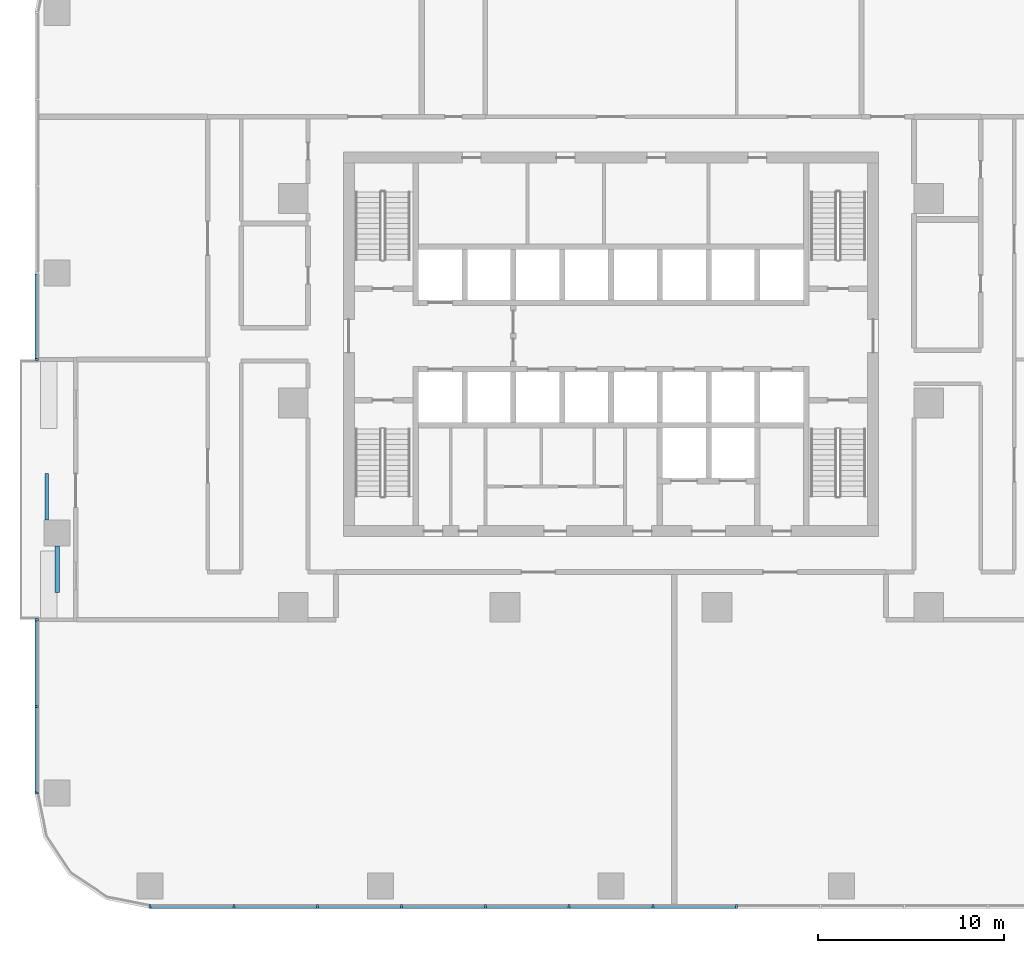
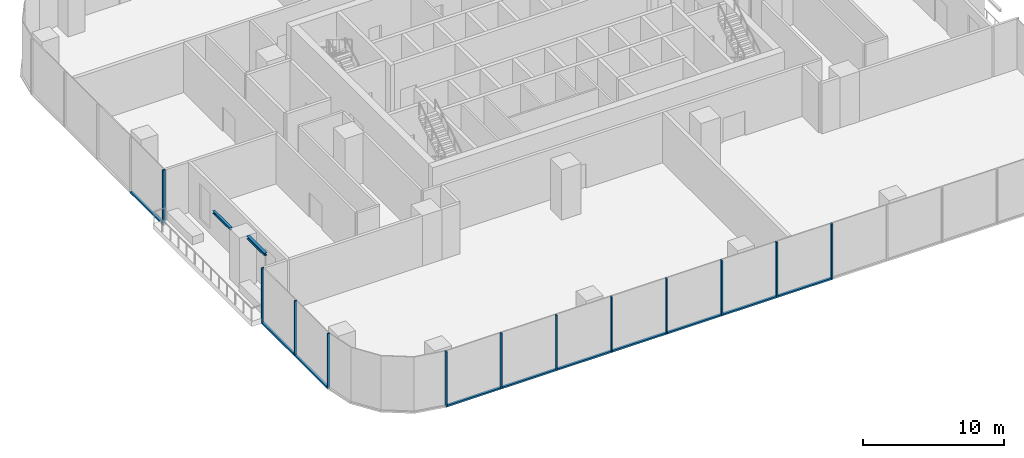
# One storey, part 2 of 14: 22 members, 2 beams, 3 elements without a shape of their own.
"""IFC4 building model written with IfcOpenShell, lengths in metres."""

from ifc_helpers import new_model, si_unit, direction, frame, origin, origin_2d, place, context, subcontext, project, spatial, rectangle, i_section, extrude, material, material_profile, profile_set, type_object, element, aggregate, save


model = new_model("IFC4")

# Units and contexts
model_context = context("Model", 3, precision=1e-05, world=origin(), true_north=direction((0.0, 1.0)))
body_context = subcontext(model_context, "Body", "Model", "MODEL_VIEW")
ifc_project = project(units=[si_unit("LENGTHUNIT", "METRE"), si_unit("AREAUNIT", "SQUARE_METRE"), si_unit("VOLUMEUNIT", "CUBIC_METRE"), si_unit("PLANEANGLEUNIT", "RADIAN"), si_unit("MASSUNIT", "GRAM", prefix="KILO")], contexts=[model_context])

# Site, building, storey
site_placement = place(None, origin())
site = spatial("IfcSite", under=ifc_project, at=site_placement, CompositionType="ELEMENT")
building_placement = place(site_placement, origin())
building = spatial("IfcBuilding", under=site, at=building_placement, Name="Mopane Tessera Tower", CompositionType="ELEMENT")
storey_placement = place(building_placement, frame((0.0, 0.0, 40.60009765625)))
storey = spatial("IfcBuildingStorey", under=building, at=storey_placement, Name="L07", CompositionType="ELEMENT", Elevation=40.60009765625)

# Curtain wall, members
ifc_material_1 = material(Name="Aluminium frame", Category="aluminium")
curtain_wall_type = type_object("IfcCurtainWallType", Name="Lower tower unitised wall", PredefinedType="NOTDEFINED", material=ifc_material_1)
curtain_wall_1_placement = place(storey_placement, origin())
curtain_wall_1 = element("IfcCurtainWall", 1, at=curtain_wall_1_placement, inside=storey, type_object=curtain_wall_type, Name="e:cw:L07:S:0", PredefinedType="NOTDEFINED")
ifc_material_2 = material(Name="Aluminium frame", Category="aluminium")
ifc_material_profile_1 = material_profile(ifc_material_2, rectangle(XDim=0.110107421875, YDim=0.199951171875, at=origin_2d()))
ifc_profile_set_1 = profile_set([ifc_material_profile_1], Name="Aluminium frame")
member_type_1 = type_object("IfcMemberType", Name="Aluminium mullion 110 x 200", PredefinedType="MULLION", material=ifc_profile_set_1)
member_1_placement = place(storey_placement, frame((-24.800048828125, -27.10009765625, -0.4501953125), z_axis=(0.0, 0.0, 1.0), x_axis=(1.0, 0.0, 0.0)))
member_1 = element("IfcMember", 2, at=member_1_placement, type_object=member_type_1, Name="e:cw:L07:S:0:mu0", PredefinedType="MULLION", context=body_context, shape_type="SweptSolid", body=[
    extrude(rectangle(XDim=0.110107421875, YDim=0.199951171875, at=origin_2d()), origin(), (0.0, 0.0, 1.0), 4.800048828125),
])
member_2_placement = place(storey_placement, frame((-20.291015625, -27.10009765625, -0.4501953125), z_axis=(0.0, 0.0, 1.0), x_axis=(1.0, 0.0, 0.0)))
member_2 = element("IfcMember", 3, at=member_2_placement, type_object=member_type_1, Name="e:cw:L07:S:0:mu1", PredefinedType="MULLION", context=body_context, shape_type="SweptSolid", body=[
    extrude(rectangle(XDim=0.110107421875, YDim=0.199951171875, at=origin_2d()), origin(), (0.0, 0.0, 1.0), 4.800048828125),
])
member_3_placement = place(storey_placement, frame((-15.78173828125, -27.10009765625, -0.4501953125), z_axis=(0.0, 0.0, 1.0), x_axis=(1.0, 0.0, 0.0)))
member_3 = element("IfcMember", 4, at=member_3_placement, type_object=member_type_1, Name="e:cw:L07:S:0:mu2", PredefinedType="MULLION", context=body_context, shape_type="SweptSolid", body=[
    extrude(rectangle(XDim=0.110107421875, YDim=0.199951171875, at=origin_2d()), origin(), (0.0, 0.0, 1.0), 4.800048828125),
])
member_4_placement = place(storey_placement, frame((-11.272705078125, -27.10009765625, -0.4501953125), z_axis=(0.0, 0.0, 1.0), x_axis=(1.0, 0.0, 0.0)))
member_4 = element("IfcMember", 5, at=member_4_placement, type_object=member_type_1, Name="e:cw:L07:S:0:mu3", PredefinedType="MULLION", context=body_context, shape_type="SweptSolid", body=[
    extrude(rectangle(XDim=0.110107421875, YDim=0.199951171875, at=origin_2d()), origin(), (0.0, 0.0, 1.0), 4.800048828125),
])
member_5_placement = place(storey_placement, frame((-6.763671875, -27.10009765625, -0.4501953125), z_axis=(0.0, 0.0, 1.0), x_axis=(1.0, 0.0, 0.0)))
member_5 = element("IfcMember", 6, at=member_5_placement, type_object=member_type_1, Name="e:cw:L07:S:0:mu4", PredefinedType="MULLION", context=body_context, shape_type="SweptSolid", body=[
    extrude(rectangle(XDim=0.110107421875, YDim=0.199951171875, at=origin_2d()), origin(), (0.0, 0.0, 1.0), 4.800048828125),
])
member_6_placement = place(storey_placement, frame((-2.254638671875, -27.10009765625, -0.4501953125), z_axis=(0.0, 0.0, 1.0), x_axis=(1.0, 0.0, 0.0)))
member_6 = element("IfcMember", 7, at=member_6_placement, type_object=member_type_1, Name="e:cw:L07:S:0:mu5", PredefinedType="MULLION", context=body_context, shape_type="SweptSolid", body=[
    extrude(rectangle(XDim=0.110107421875, YDim=0.199951171875, at=origin_2d()), origin(), (0.0, 0.0, 1.0), 4.800048828125),
])
member_7_placement = place(storey_placement, frame((2.254638671875, -27.10009765625, -0.4501953125), z_axis=(0.0, 0.0, 1.0), x_axis=(1.0, 0.0, 0.0)))
member_7 = element("IfcMember", 8, at=member_7_placement, type_object=member_type_1, Name="e:cw:L07:S:0:mu6", PredefinedType="MULLION", context=body_context, shape_type="SweptSolid", body=[
    extrude(rectangle(XDim=0.110107421875, YDim=0.199951171875, at=origin_2d()), origin(), (0.0, 0.0, 1.0), 4.800048828125),
])
member_8_placement = place(storey_placement, frame((6.763671875, -27.10009765625, -0.4501953125), z_axis=(0.0, 0.0, 1.0), x_axis=(1.0, 0.0, 0.0)))
member_8 = element("IfcMember", 9, at=member_8_placement, type_object=member_type_1, Name="e:cw:L07:S:0:mu7", PredefinedType="MULLION", context=body_context, shape_type="SweptSolid", body=[
    extrude(rectangle(XDim=0.110107421875, YDim=0.199951171875, at=origin_2d()), origin(), (0.0, 0.0, 1.0), 4.800048828125),
])

# Curtain wall, member
curtain_wall_2_placement = place(storey_placement, origin())
curtain_wall_2 = element("IfcCurtainWall", 10, at=curtain_wall_2_placement, inside=storey, type_object=curtain_wall_type, Name="e:cw:L07:W:0", PredefinedType="NOTDEFINED")
member_9_placement = place(storey_placement, frame((-30.89990234375, 2.333251953125, -0.4501953125), z_axis=(0.0, 0.0, 1.0), x_axis=(0.0, -1.0, 0.0)))
member_9 = element("IfcMember", 11, at=member_9_placement, type_object=member_type_1, Name="e:cw:L07:W:0:mu4", PredefinedType="MULLION", context=body_context, shape_type="SweptSolid", body=[
    extrude(rectangle(XDim=0.110107421875, YDim=0.199951171875, at=origin_2d()), origin(), (0.0, 0.0, 1.0), 4.800048828125),
])

# Curtain wall, members
curtain_wall_3_placement = place(storey_placement, origin())
curtain_wall_3 = element("IfcCurtainWall", 12, at=curtain_wall_3_placement, inside=storey, type_object=curtain_wall_type, Name="e:cw:L07:W:7", PredefinedType="NOTDEFINED")
member_10_placement = place(storey_placement, frame((-30.89990234375, -11.666748046875, -0.4501953125), z_axis=(0.0, 0.0, 1.0), x_axis=(0.0, -1.0, 0.0)))
member_10 = element("IfcMember", 13, at=member_10_placement, type_object=member_type_1, Name="e:cw:L07:W:7:mu7", PredefinedType="MULLION", context=body_context, shape_type="SweptSolid", body=[
    extrude(rectangle(XDim=0.110107421875, YDim=0.199951171875, at=origin_2d()), origin(), (0.0, 0.0, 1.0), 4.800048828125),
])
member_11_placement = place(storey_placement, frame((-30.89990234375, -16.333251953125, -0.4501953125), z_axis=(0.0, 0.0, 1.0), x_axis=(0.0, -1.0, 0.0)))
member_11 = element("IfcMember", 14, at=member_11_placement, type_object=member_type_1, Name="e:cw:L07:W:7:mu8", PredefinedType="MULLION", context=body_context, shape_type="SweptSolid", body=[
    extrude(rectangle(XDim=0.110107421875, YDim=0.199951171875, at=origin_2d()), origin(), (0.0, 0.0, 1.0), 4.800048828125),
])
member_12_placement = place(storey_placement, frame((-30.89990234375, -21.0, -0.4501953125), z_axis=(0.0, 0.0, 1.0), x_axis=(0.0, -1.0, 0.0)))
member_12 = element("IfcMember", 15, at=member_12_placement, type_object=member_type_1, Name="e:cw:L07:W:7:mu9", PredefinedType="MULLION", context=body_context, shape_type="SweptSolid", body=[
    extrude(rectangle(XDim=0.110107421875, YDim=0.199951171875, at=origin_2d()), origin(), (0.0, 0.0, 1.0), 4.800048828125),
])

# Member
ifc_material_3 = material(Name="Aluminium frame", Category="aluminium")
ifc_material_profile_2 = material_profile(ifc_material_3, rectangle(XDim=0.199951171875, YDim=0.139892578125, at=origin_2d()))
ifc_profile_set_2 = profile_set([ifc_material_profile_2], Name="Aluminium frame")
member_type_2 = type_object("IfcMemberType", Name="Aluminium transom 200 x 140", PredefinedType="USERDEFINED", material=ifc_profile_set_2)
member_13_placement = place(storey_placement, frame((-24.7451171875, -27.10009765625, -0.380126953125), z_axis=(1.0, 0.0, 0.0), x_axis=(0.0, 1.0, 0.0)))
member_13 = element("IfcMember", 16, at=member_13_placement, type_object=member_type_2, Name="e:cw:L07:S:0:tr0", ObjectType="TRANSOM", PredefinedType="USERDEFINED", context=body_context, shape_type="SweptSolid", body=[
    extrude(rectangle(XDim=0.199951171875, YDim=0.139892578125, at=origin_2d()), origin(), (0.0, 0.0, 1.0), 4.399169921875),
])

member_14_placement = place(storey_placement, frame((-20.23583984375, -27.10009765625, -0.380126953125), z_axis=(1.0, 0.0, 0.0), x_axis=(0.0, 1.0, 0.0)))
member_14 = element("IfcMember", 17, at=member_14_placement, type_object=member_type_2, Name="e:cw:L07:S:0:tr1", ObjectType="TRANSOM", PredefinedType="USERDEFINED", context=body_context, shape_type="SweptSolid", body=[
    extrude(rectangle(XDim=0.199951171875, YDim=0.139892578125, at=origin_2d()), origin(), (0.0, 0.0, 1.0), 4.39892578125),
])

member_15_placement = place(storey_placement, frame((-15.726806640625, -27.10009765625, -0.380126953125), z_axis=(1.0, 0.0, 0.0), x_axis=(0.0, 1.0, 0.0)))
member_15 = element("IfcMember", 18, at=member_15_placement, type_object=member_type_2, Name="e:cw:L07:S:0:tr2", ObjectType="TRANSOM", PredefinedType="USERDEFINED", context=body_context, shape_type="SweptSolid", body=[
    extrude(rectangle(XDim=0.199951171875, YDim=0.139892578125, at=origin_2d()), origin(), (0.0, 0.0, 1.0), 4.399169921875),
])

member_16_placement = place(storey_placement, frame((-11.2177734375, -27.10009765625, -0.380126953125), z_axis=(1.0, 0.0, 0.0), x_axis=(0.0, 1.0, 0.0)))
member_16 = element("IfcMember", 19, at=member_16_placement, type_object=member_type_2, Name="e:cw:L07:S:0:tr3", ObjectType="TRANSOM", PredefinedType="USERDEFINED", context=body_context, shape_type="SweptSolid", body=[
    extrude(rectangle(XDim=0.199951171875, YDim=0.139892578125, at=origin_2d()), origin(), (0.0, 0.0, 1.0), 4.399169921875),
])

member_17_placement = place(storey_placement, frame((-6.708740234375, -27.10009765625, -0.380126953125), z_axis=(1.0, 0.0, 0.0), x_axis=(0.0, 1.0, 0.0)))
member_17 = element("IfcMember", 20, at=member_17_placement, type_object=member_type_2, Name="e:cw:L07:S:0:tr4", ObjectType="TRANSOM", PredefinedType="USERDEFINED", context=body_context, shape_type="SweptSolid", body=[
    extrude(rectangle(XDim=0.199951171875, YDim=0.139892578125, at=origin_2d()), origin(), (0.0, 0.0, 1.0), 4.399169921875),
])

member_18_placement = place(storey_placement, frame((-2.199462890625, -27.10009765625, -0.380126953125), z_axis=(1.0, 0.0, 0.0), x_axis=(0.0, 1.0, 0.0)))
member_18 = element("IfcMember", 21, at=member_18_placement, type_object=member_type_2, Name="e:cw:L07:S:0:tr5", ObjectType="TRANSOM", PredefinedType="USERDEFINED", context=body_context, shape_type="SweptSolid", body=[
    extrude(rectangle(XDim=0.199951171875, YDim=0.139892578125, at=origin_2d()), origin(), (0.0, 0.0, 1.0), 4.39892578125),
])

member_19_placement = place(storey_placement, frame((2.3095703125, -27.10009765625, -0.380126953125), z_axis=(1.0, 0.0, 0.0), x_axis=(0.0, 1.0, 0.0)))
member_19 = element("IfcMember", 22, at=member_19_placement, type_object=member_type_2, Name="e:cw:L07:S:0:tr6", ObjectType="TRANSOM", PredefinedType="USERDEFINED", context=body_context, shape_type="SweptSolid", body=[
    extrude(rectangle(XDim=0.199951171875, YDim=0.139892578125, at=origin_2d()), origin(), (0.0, 0.0, 1.0), 4.399169921875),
])

aggregate(curtain_wall_1, [member_1, member_2, member_3, member_4, member_5, member_6, member_7, member_8, member_13, member_14, member_15, member_16, member_17, member_18, member_19])

member_20_placement = place(storey_placement, frame((-30.89990234375, 6.945068359375, -0.380126953125), z_axis=(0.0, -1.0, 0.0), x_axis=(1.0, 0.0, 0.0)))
member_20 = element("IfcMember", 23, at=member_20_placement, type_object=member_type_2, Name="e:cw:L07:W:0:tr3", ObjectType="TRANSOM", PredefinedType="USERDEFINED", context=body_context, shape_type="SweptSolid", body=[
    extrude(rectangle(XDim=0.199951171875, YDim=0.139892578125, at=origin_2d()), origin(), (0.0, 0.0, 1.0), 4.556640625),
])

aggregate(curtain_wall_2, [member_9, member_20])

member_21_placement = place(storey_placement, frame((-30.89990234375, -11.7216796875, -0.380126953125), z_axis=(0.0, -1.0, 0.0), x_axis=(1.0, 0.0, 0.0)))
member_21 = element("IfcMember", 24, at=member_21_placement, type_object=member_type_2, Name="e:cw:L07:W:7:tr7", ObjectType="TRANSOM", PredefinedType="USERDEFINED", context=body_context, shape_type="SweptSolid", body=[
    extrude(rectangle(XDim=0.199951171875, YDim=0.139892578125, at=origin_2d()), origin(), (0.0, 0.0, 1.0), 4.556640625),
])

member_22_placement = place(storey_placement, frame((-30.89990234375, -16.388427734375, -0.380126953125), z_axis=(0.0, -1.0, 0.0), x_axis=(1.0, 0.0, 0.0)))
member_22 = element("IfcMember", 25, at=member_22_placement, type_object=member_type_2, Name="e:cw:L07:W:7:tr8", ObjectType="TRANSOM", PredefinedType="USERDEFINED", context=body_context, shape_type="SweptSolid", body=[
    extrude(rectangle(XDim=0.199951171875, YDim=0.139892578125, at=origin_2d()), origin(), (0.0, 0.0, 1.0), 4.556640625),
])

aggregate(curtain_wall_3, [member_10, member_11, member_12, member_21, member_22])

# Beams
ifc_material_4 = material(Name="Structural steel S460", Category="steel")
ifc_material_profile_3 = material_profile(ifc_material_4, i_section(OverallWidth=0.239990234375, OverallDepth=0.239990234375, WebThickness=0.010009765625, FlangeThickness=0.01708984375, FilletRadius=0.02099609375, at=origin_2d()))
ifc_profile_set_3 = profile_set([ifc_material_profile_3], Name="Structural steel S460")
beam_type_1 = type_object("IfcBeamType", Name="Terrace spandrel beam HE 240 B", PredefinedType="SPANDREL", material=ifc_profile_set_3)
beam_1_placement = place(storey_placement, frame((-29.800048828125, -7.702880859375, 4.22998046875), z_axis=(0.0, -1.0, 0.0), x_axis=(1.0, 0.0, 0.0)))
element("IfcBeam", 26, at=beam_1_placement, inside=storey, type_object=beam_type_1, Name="Terrace spandrel beam N3 L08", PredefinedType="SPANDREL", context=body_context, shape_type="SweptSolid", body=[
    extrude(i_section(OverallWidth=0.239990234375, OverallDepth=0.239990234375, WebThickness=0.010009765625, FlangeThickness=0.01708984375, FilletRadius=0.02099609375, at=origin_2d()), origin(), (0.0, 0.0, 1.0), 2.5),
])
ifc_material_5 = material(Name="Structural steel S460", Category="steel")
ifc_material_profile_4 = material_profile(ifc_material_5, i_section(OverallWidth=0.199951171875, OverallDepth=0.199951171875, WebThickness=0.009033203125, FlangeThickness=0.014892578125, FilletRadius=0.01806640625, at=origin_2d()))
ifc_profile_set_4 = profile_set([ifc_material_profile_4], Name="Structural steel S460")
beam_type_2 = type_object("IfcBeamType", Name="Terrace trimmer beam HE 200 B", PredefinedType="BEAM", material=ifc_profile_set_4)
beam_2_placement = place(storey_placement, frame((-30.360107421875, -6.297119140625, 4.25), z_axis=(0.0, 1.0, 0.0), x_axis=(-1.0, 0.0, 0.0)))
element("IfcBeam", 27, at=beam_2_placement, inside=storey, type_object=beam_type_2, Name="Terrace trimmer beam N3 L08", PredefinedType="BEAM", context=body_context, shape_type="SweptSolid", body=[
    extrude(i_section(OverallWidth=0.199951171875, OverallDepth=0.199951171875, WebThickness=0.009033203125, FlangeThickness=0.014892578125, FilletRadius=0.01806640625, at=origin_2d()), origin(), (0.0, 0.0, 1.0), 2.5),
])

save(model, "model.ifc")
